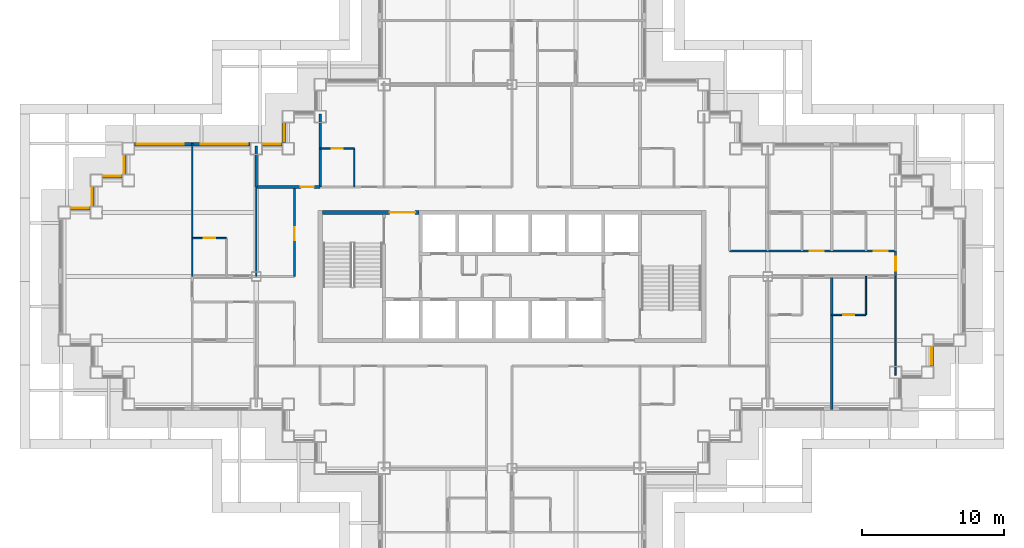
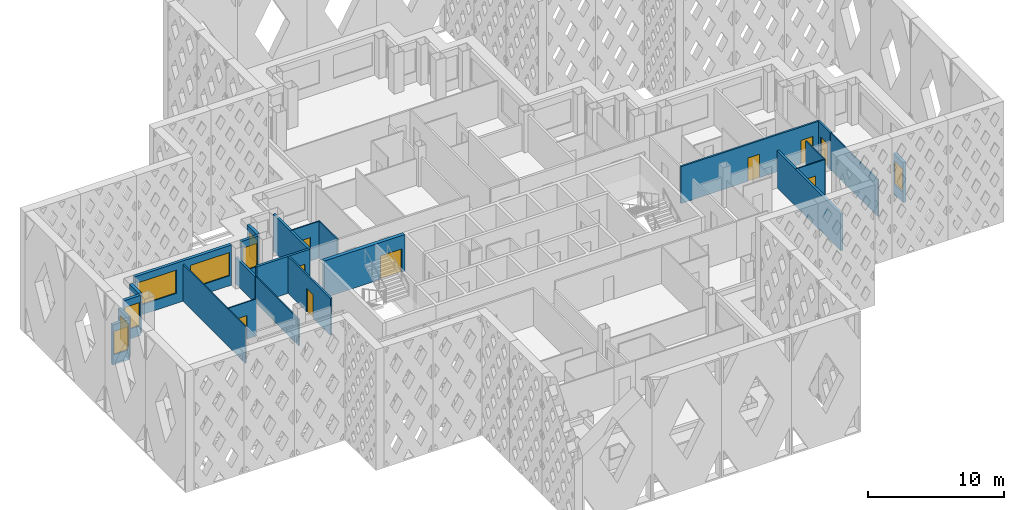
# One storey, part 8 of 21: 24 walls, 9 doors, 9 windows, 18 openings.
"""IFC4 building model written with IfcOpenShell, lengths in metres."""

from ifc_helpers import new_model, si_unit, direction, frame, frame_2d, origin, place, context, subcontext, project, spatial, rectangle, extrude, material, layer, layer_set, type_object, element, fill, save


model = new_model("IFC4")

# Units and contexts
model_context = context("Model", 3, precision=1e-05, world=origin(), true_north=direction((0.0, 1.0)))
body_context = subcontext(model_context, "Body", "Model", "MODEL_VIEW")
ifc_project = project(units=[si_unit("LENGTHUNIT", "METRE"), si_unit("AREAUNIT", "SQUARE_METRE"), si_unit("VOLUMEUNIT", "CUBIC_METRE"), si_unit("PLANEANGLEUNIT", "RADIAN"), si_unit("MASSUNIT", "GRAM", prefix="KILO")], contexts=[model_context])

# Site, building, storey
site_placement = place(None, origin())
site = spatial("IfcSite", under=ifc_project, at=site_placement, CompositionType="ELEMENT")
building_placement = place(site_placement, origin())
building = spatial("IfcBuilding", under=site, at=building_placement, Name="Caravel Reach Hotel and Residences", CompositionType="ELEMENT")
storey_placement = place(building_placement, frame((0.0, 0.0, 129.60009765625)))
storey = spatial("IfcBuildingStorey", under=building, at=storey_placement, Name="L32", CompositionType="ELEMENT", Elevation=129.60009765625)

# Wall, opening, door
ifc_material_1 = material(Name="Gypsum board on steel stud", Category="steel")
ifc_layer_1 = layer(ifc_material_1, 0.10009765625)
ifc_layer_set_1 = layer_set([ifc_layer_1], Name="Bathroom pod wall 100 mm")
wall_type_1 = type_object("IfcWallType", Name="Bathroom pod wall 100 mm", PredefinedType="PARTITIONING", material=ifc_layer_set_1)
wall_1_placement = place(storey_placement, frame((54.0, 24.300048828125, 0.0), z_axis=(0.0, 0.0, 1.0), x_axis=(1.0, 0.0, 0.0)))
wall_1 = element("IfcWall", 1, at=wall_1_placement, inside=storey, type_object=wall_type_1, Name="L32 wall w073", PredefinedType="PARTITIONING", context=body_context, shape_type="SweptSolid", body=[
    extrude(rectangle(XDim=2.39990234375, YDim=0.10009765625, at=frame_2d((1.199951171875, 0.0))), origin(), (0.0, 0.0, 1.0), 3.2998046875),
])
opening_1_placement = place(wall_1_placement, frame((0.800048828125, 0.0, 0.0)))
opening_1 = element("IfcOpeningElement", 2, at=opening_1_placement, cuts=wall_1, Name="Opening D32-023", PredefinedType="OPENING", context=body_context, shape_type="SweptSolid", body=[
    extrude(rectangle(XDim=0.800048828125, YDim=2.10009765625, at=frame_2d((0.39990234375, 1.050048828125))), frame((0.0, 0.06005859375, 0.0), z_axis=(0.0, -1.0, 0.0), x_axis=(1.0, 0.0, 0.0)), (0.0, 0.0, 1.0), 0.1201171875),
])
ifc_material_2 = material(Name="Timber and steel door leaf", Category="steel")
door_type_1 = type_object("IfcDoorType", Name="Bathroom door 800 x 2100", OperationType="SINGLE_SWING_LEFT", PredefinedType="DOOR", material=ifc_material_2)
door_1_placement = place(opening_1_placement, origin())
door_1 = element("IfcDoor", 3, at=door_1_placement, inside=storey, type_object=door_type_1, Name="door D32-023", OperationType="SINGLE_SWING_RIGHT", OverallHeight=2.10009765625, OverallWidth=0.800048828125, PredefinedType="DOOR", context=body_context, shape_type="SweptSolid", body=[
    extrude(rectangle(XDim=0.800048828125, YDim=2.10009765625, at=frame_2d((0.39990234375, 1.050048828125))), frame((0.0, 0.02490234375, 0.0), z_axis=(0.0, -1.0, 0.0), x_axis=(1.0, 0.0, 0.0)), (0.0, 0.0, 1.0), 0.050048828125),
])
fill(opening_1, door_1)

wall_2_placement = place(storey_placement, frame((9.0, 29.699951171875, 0.0), z_axis=(0.0, 0.0, 1.0), x_axis=(1.0, 0.0, 0.0)))
wall_2 = element("IfcWall", 4, at=wall_2_placement, inside=storey, type_object=wall_type_1, Name="L32 wall w074", PredefinedType="PARTITIONING", context=body_context, shape_type="SweptSolid", body=[
    extrude(rectangle(XDim=2.39990234375, YDim=0.10009765625, at=frame_2d((1.199951171875, 0.0))), origin(), (0.0, 0.0, 1.0), 3.2998046875),
])
opening_2_placement = place(wall_2_placement, frame((0.800048828125, 0.0, 0.0)))
opening_2 = element("IfcOpeningElement", 5, at=opening_2_placement, cuts=wall_2, Name="Opening D32-019", PredefinedType="OPENING", context=body_context, shape_type="SweptSolid", body=[
    extrude(rectangle(XDim=0.800048828125, YDim=2.10009765625, at=frame_2d((0.39990234375, 1.050048828125))), frame((0.0, 0.06005859375, 0.0), z_axis=(0.0, -1.0, 0.0), x_axis=(1.0, 0.0, 0.0)), (0.0, 0.0, 1.0), 0.1201171875),
])
door_2_placement = place(opening_2_placement, origin())
door_2 = element("IfcDoor", 6, at=door_2_placement, inside=storey, type_object=door_type_1, Name="door D32-019", OperationType="SINGLE_SWING_LEFT", OverallHeight=2.10009765625, OverallWidth=0.800048828125, PredefinedType="DOOR", context=body_context, shape_type="SweptSolid", body=[
    extrude(rectangle(XDim=0.800048828125, YDim=2.10009765625, at=frame_2d((0.39990234375, 1.050048828125))), frame((0.0, 0.02490234375, 0.0), z_axis=(0.0, -1.0, 0.0), x_axis=(1.0, 0.0, 0.0)), (0.0, 0.0, 1.0), 0.050048828125),
])
fill(opening_2, door_2)

wall_3_placement = place(storey_placement, frame((18.0, 36.0, 0.0), z_axis=(0.0, 0.0, 1.0), x_axis=(1.0, 0.0, 0.0)))
wall_3 = element("IfcWall", 7, at=wall_3_placement, inside=storey, type_object=wall_type_1, Name="L32 wall w077", PredefinedType="PARTITIONING", context=body_context, shape_type="SweptSolid", body=[
    extrude(rectangle(XDim=2.39990234375, YDim=0.10009765625, at=frame_2d((1.199951171875, 0.0))), origin(), (0.0, 0.0, 1.0), 3.2998046875),
])
opening_3_placement = place(wall_3_placement, frame((0.800048828125, 0.0, 0.0)))
opening_3 = element("IfcOpeningElement", 8, at=opening_3_placement, cuts=wall_3, Name="Opening D32-041", PredefinedType="OPENING", context=body_context, shape_type="SweptSolid", body=[
    extrude(rectangle(XDim=0.800048828125, YDim=2.10009765625, at=frame_2d((0.39990234375, 1.050048828125))), frame((0.0, 0.06005859375, 0.0), z_axis=(0.0, -1.0, 0.0), x_axis=(1.0, 0.0, 0.0)), (0.0, 0.0, 1.0), 0.1201171875),
])
door_3_placement = place(opening_3_placement, origin())
door_3 = element("IfcDoor", 9, at=door_3_placement, inside=storey, type_object=door_type_1, Name="door D32-041", OperationType="SINGLE_SWING_LEFT", OverallHeight=2.10009765625, OverallWidth=0.800048828125, PredefinedType="DOOR", context=body_context, shape_type="SweptSolid", body=[
    extrude(rectangle(XDim=0.800048828125, YDim=2.10009765625, at=frame_2d((0.39990234375, 1.050048828125))), frame((0.0, 0.02490234375, 0.0), z_axis=(0.0, -1.0, 0.0), x_axis=(1.0, 0.0, 0.0)), (0.0, 0.0, 1.0), 0.050048828125),
])
fill(opening_3, door_3)

# Walls
for number, where, z_axis, x_axis, name in (
    (10, (20.39990234375, 33.300048828125, 0.0), (0.0, 0.0, 1.0), (0.0, 1.0, 0.0), "L32 wall w084"),
    (11, (56.39990234375, 24.300048828125, 0.0), (0.0, 0.0, 1.0), (0.0, 1.0, 0.0), "L32 wall w095"),
):
    element("IfcWall", number, at=place(storey_placement, frame(where, z_axis=z_axis, x_axis=x_axis)), inside=storey, type_object=wall_type_1, Name=name, PredefinedType="PARTITIONING", context=body_context, shape_type="SweptSolid", body=[
        extrude(rectangle(XDim=2.699951171875, YDim=0.10009765625, at=frame_2d((1.35009765625, 0.0))), origin(), (0.0, 0.0, 1.0), 3.2998046875),
    ])

# Wall, opening, door
ifc_material_3 = material(Name="Autoclaved aerated block wall")
ifc_layer_2 = layer(ifc_material_3, 0.199951171875)
ifc_layer_set_2 = layer_set([ifc_layer_2], Name="Compartment wall 200 mm EI 120")
wall_type_2 = type_object("IfcWallType", Name="Compartment wall 200 mm EI 120", PredefinedType="PARTITIONING", material=ifc_layer_set_2)
wall_4_placement = place(storey_placement, frame((13.5, 33.300048828125, 0.0), z_axis=(0.0, 0.0, 1.0), x_axis=(1.0, 0.0, 0.0)))
wall_4 = element("IfcWall", 12, at=wall_4_placement, inside=storey, type_object=wall_type_2, Name="L32 wall w098", PredefinedType="PARTITIONING", context=body_context, shape_type="SweptSolid", body=[
    extrude(rectangle(XDim=4.5, YDim=0.199951171875, at=frame_2d((2.25, 0.0))), origin(), (0.0, 0.0, 1.0), 3.2998046875),
])
opening_4_placement = place(wall_4_placement, frame((3.14990234375, 0.0, 0.0)))
opening_4 = element("IfcOpeningElement", 13, at=opening_4_placement, cuts=wall_4, Name="Opening D32-042", PredefinedType="OPENING", context=body_context, shape_type="SweptSolid", body=[
    extrude(rectangle(XDim=0.89990234375, YDim=2.10009765625, at=frame_2d((0.449951171875, 1.050048828125))), frame((0.0, 0.10986328125, 0.0), z_axis=(0.0, -1.0, 0.0), x_axis=(1.0, 0.0, 0.0)), (0.0, 0.0, 1.0), 0.219970703125),
])
ifc_material_4 = material(Name="Steel fire door leaf", Category="steel")
door_type_2 = type_object("IfcDoorType", Name="Riser door 900 x 2100 EI 60", OperationType="SINGLE_SWING_LEFT", PredefinedType="DOOR", material=ifc_material_4)
door_4_placement = place(opening_4_placement, origin())
door_4 = element("IfcDoor", 14, at=door_4_placement, inside=storey, type_object=door_type_2, Name="door D32-042", OperationType="SINGLE_SWING_LEFT", OverallHeight=2.10009765625, OverallWidth=0.89990234375, PredefinedType="DOOR", context=body_context, shape_type="SweptSolid", body=[
    extrude(rectangle(XDim=0.89990234375, YDim=2.10009765625, at=frame_2d((0.449951171875, 1.050048828125))), frame((0.0, 0.02490234375, 0.0), z_axis=(0.0, -1.0, 0.0), x_axis=(1.0, 0.0, 0.0)), (0.0, 0.0, 1.0), 0.050048828125),
])
fill(opening_4, door_4)

# Walls
wall_5_placement = place(storey_placement, frame((13.5, 33.300048828125, 0.0), z_axis=(0.0, 0.0, 1.0), x_axis=(0.0, 1.0, 0.0)))
element("IfcWall", 15, at=wall_5_placement, inside=storey, type_object=wall_type_2, Name="L32 wall w100", PredefinedType="PARTITIONING", context=body_context, shape_type="SweptSolid", body=[
    extrude(rectangle(XDim=2.889892578125, YDim=0.199951171875, at=frame_2d((1.44482421875, 0.0))), origin(), (0.0, 0.0, 1.0), 2.3798828125),
])
wall_6_placement = place(storey_placement, frame((18.0, 33.300048828125, 0.0), z_axis=(0.0, 0.0, 1.0), x_axis=(0.0, 1.0, 0.0)))
element("IfcWall", 16, at=wall_6_placement, inside=storey, type_object=wall_type_2, Name="L32 wall w101", PredefinedType="PARTITIONING", context=body_context, shape_type="SweptSolid", body=[
    extrude(rectangle(XDim=5.139892578125, YDim=0.199951171875, at=frame_2d((2.56982421875, 0.0))), origin(), (0.0, 0.0, 1.0), 3.2998046875),
])

# Wall, opening, door
ifc_material_5 = material(Name="Concrete C60", Category="concrete")
ifc_layer_3 = layer(ifc_material_5, 0.300048828125)
ifc_layer_set_3 = layer_set([ifc_layer_3], Name="Core wall 300 mm EI 120")
wall_type_3 = type_object("IfcWallType", Name="Core wall 300 mm EI 120", PredefinedType="SHEAR", material=ifc_layer_set_3)
wall_7_placement = place(storey_placement, frame((18.14990234375, 31.5, 0.0), z_axis=(0.0, 0.0, 1.0), x_axis=(1.0, 0.0, 0.0)))
wall_7 = element("IfcWall", 17, at=wall_7_placement, inside=storey, type_object=wall_type_3, Name="L32 core wall N1", PredefinedType="SHEAR", context=body_context, shape_type="SweptSolid", body=[
    extrude(rectangle(XDim=6.796630859375, YDim=0.300048828125, at=frame_2d((3.3984375, 0.0))), origin(), (0.0, 0.0, 1.0), 3.2998046875),
])
opening_5_placement = place(wall_7_placement, frame((4.735595703125, 0.0, 0.0)))
opening_5 = element("IfcOpeningElement", 18, at=opening_5_placement, cuts=wall_7, Name="Opening D32-014", PredefinedType="OPENING", context=body_context, shape_type="SweptSolid", body=[
    extrude(rectangle(XDim=1.800048828125, YDim=2.10009765625, at=frame_2d((0.89990234375, 1.050048828125))), frame((0.0, 0.159912109375, 0.0), z_axis=(0.0, -1.0, 0.0), x_axis=(1.0, 0.0, 0.0)), (0.0, 0.0, 1.0), 0.320068359375),
])
ifc_material_6 = material(Name="Steel fire door leaf", Category="steel")
door_type_3 = type_object("IfcDoorType", Name="Fire lobby door pair 1800 x 2100 EI 90", OperationType="DOUBLE_DOOR_SINGLE_SWING", PredefinedType="DOOR", material=ifc_material_6)
door_5_placement = place(opening_5_placement, origin())
door_5 = element("IfcDoor", 19, at=door_5_placement, inside=storey, type_object=door_type_3, Name="lobby N door pair to corridor", OperationType="DOUBLE_DOOR_SINGLE_SWING", OverallHeight=2.10009765625, OverallWidth=1.800048828125, PredefinedType="DOOR", context=body_context, shape_type="SweptSolid", body=[
    extrude(rectangle(XDim=1.800048828125, YDim=2.10009765625, at=frame_2d((0.89990234375, 1.050048828125))), frame((0.0, 0.02490234375, 0.0), z_axis=(0.0, -1.0, 0.0), x_axis=(1.0, 0.0, 0.0)), (0.0, 0.0, 1.0), 0.050048828125),
])
fill(opening_5, door_5)

# Wall, openings, doors
ifc_material_7 = material(Name="Gypsum board on steel stud, fire-rated", Category="steel")
ifc_layer_4 = layer(ifc_material_7, 0.14990234375)
ifc_layer_set_4 = layer_set([ifc_layer_4], Name="Corridor wall 150 mm EI 60")
wall_type_4 = type_object("IfcWallType", Name="Corridor wall 150 mm EI 60", PredefinedType="PARTITIONING", material=ifc_layer_set_4)
wall_8_placement = place(storey_placement, frame((46.800048828125, 28.800048828125, 0.0), z_axis=(0.0, 0.0, 1.0), x_axis=(1.0, 0.0, 0.0)))
wall_8 = element("IfcWall", 20, at=wall_8_placement, inside=storey, type_object=wall_type_4, Name="L32 wall w014", PredefinedType="PARTITIONING", context=body_context, shape_type="SweptSolid", body=[
    extrude(rectangle(XDim=11.699951171875, YDim=0.14990234375, at=frame_2d((5.85009765625, 0.0))), origin(), (0.0, 0.0, 1.0), 3.2998046875),
])
opening_6_placement = place(wall_8_placement, frame((5.64990234375, 0.0, 0.0)))
opening_6 = element("IfcOpeningElement", 21, at=opening_6_placement, cuts=wall_8, Name="Opening D32-024", PredefinedType="OPENING", context=body_context, shape_type="SweptSolid", body=[
    extrude(rectangle(XDim=1.0, YDim=2.10009765625, at=frame_2d((0.5, 1.050048828125))), frame((0.0, 0.0849609375, 0.0), z_axis=(0.0, -1.0, 0.0), x_axis=(1.0, 0.0, 0.0)), (0.0, 0.0, 1.0), 0.169921875),
])
opening_7_placement = place(wall_8_placement, frame((10.14990234375, 0.0, 0.0)))
opening_7 = element("IfcOpeningElement", 22, at=opening_7_placement, cuts=wall_8, Name="Opening D32-026", PredefinedType="OPENING", context=body_context, shape_type="SweptSolid", body=[
    extrude(rectangle(XDim=1.0, YDim=2.10009765625, at=frame_2d((0.5, 1.050048828125))), frame((0.0, 0.0849609375, 0.0), z_axis=(0.0, -1.0, 0.0), x_axis=(1.0, 0.0, 0.0)), (0.0, 0.0, 1.0), 0.169921875),
])
ifc_material_8 = material(Name="Steel fire door leaf", Category="steel")
door_type_4 = type_object("IfcDoorType", Name="Guest room door 1000 x 2100 EI 30", OperationType="SINGLE_SWING_LEFT", PredefinedType="DOOR", material=ifc_material_8)
door_6_placement = place(opening_6_placement, origin())
door_6 = element("IfcDoor", 23, at=door_6_placement, inside=storey, type_object=door_type_4, Name="door D32-024", OperationType="SINGLE_SWING_RIGHT", OverallHeight=2.10009765625, OverallWidth=1.0, PredefinedType="DOOR", context=body_context, shape_type="SweptSolid", body=[
    extrude(rectangle(XDim=1.0, YDim=2.10009765625, at=frame_2d((0.5, 1.050048828125))), frame((0.0, 0.02490234375, 0.0), z_axis=(0.0, -1.0, 0.0), x_axis=(1.0, 0.0, 0.0)), (0.0, 0.0, 1.0), 0.050048828125),
])
fill(opening_6, door_6)
door_7_placement = place(opening_7_placement, origin())
door_7 = element("IfcDoor", 24, at=door_7_placement, inside=storey, type_object=door_type_4, Name="door D32-026", OperationType="SINGLE_SWING_RIGHT", OverallHeight=2.10009765625, OverallWidth=1.0, PredefinedType="DOOR", context=body_context, shape_type="SweptSolid", body=[
    extrude(rectangle(XDim=1.0, YDim=2.10009765625, at=frame_2d((0.5, 1.050048828125))), frame((0.0, 0.02490234375, 0.0), z_axis=(0.0, -1.0, 0.0), x_axis=(1.0, 0.0, 0.0)), (0.0, 0.0, 1.0), 0.050048828125),
])
fill(opening_7, door_7)

# Wall, opening, door
wall_9_placement = place(storey_placement, frame((16.199951171875, 27.0, 0.0), z_axis=(0.0, 0.0, 1.0), x_axis=(0.0, 1.0, 0.0)))
wall_9 = element("IfcWall", 25, at=wall_9_placement, inside=storey, type_object=wall_type_4, Name="L32 wall w023", PredefinedType="PARTITIONING", context=body_context, shape_type="SweptSolid", body=[
    extrude(rectangle(XDim=6.300048828125, YDim=0.14990234375, at=frame_2d((3.14990234375, 0.0))), origin(), (0.0, 0.0, 1.0), 3.2998046875),
])
opening_8_placement = place(wall_9_placement, frame((2.550048828125, 0.0, 0.0)))
opening_8 = element("IfcOpeningElement", 26, at=opening_8_placement, cuts=wall_9, Name="Opening D32-057", PredefinedType="OPENING", context=body_context, shape_type="SweptSolid", body=[
    extrude(rectangle(XDim=0.89990234375, YDim=2.10009765625, at=frame_2d((0.449951171875, 1.050048828125))), frame((0.0, 0.0849609375, 0.0), z_axis=(0.0, -1.0, 0.0), x_axis=(1.0, 0.0, 0.0)), (0.0, 0.0, 1.0), 0.169921875),
])
ifc_material_9 = material(Name="Timber and steel door leaf", Category="steel")
door_type_5 = type_object("IfcDoorType", Name="Door 900 x 2100 timber", OperationType="SINGLE_SWING_LEFT", PredefinedType="DOOR", material=ifc_material_9)
door_8_placement = place(opening_8_placement, origin())
door_8 = element("IfcDoor", 27, at=door_8_placement, inside=storey, type_object=door_type_5, Name="door D32-057", OperationType="SINGLE_SWING_LEFT", OverallHeight=2.10009765625, OverallWidth=0.89990234375, PredefinedType="DOOR", context=body_context, shape_type="SweptSolid", body=[
    extrude(rectangle(XDim=0.89990234375, YDim=2.10009765625, at=frame_2d((0.449951171875, 1.050048828125))), frame((0.0, 0.02490234375, 0.0), z_axis=(0.0, -1.0, 0.0), x_axis=(1.0, 0.0, 0.0)), (0.0, 0.0, 1.0), 0.050048828125),
])
fill(opening_8, door_8)

wall_10_placement = place(storey_placement, frame((58.5, 27.0, 0.0), z_axis=(0.0, 0.0, 1.0), x_axis=(0.0, 1.0, 0.0)))
wall_10 = element("IfcWall", 28, at=wall_10_placement, inside=storey, type_object=wall_type_4, Name="L32 wall w035", PredefinedType="PARTITIONING", context=body_context, shape_type="SweptSolid", body=[
    extrude(rectangle(XDim=1.800048828125, YDim=0.14990234375, at=frame_2d((0.89990234375, 0.0))), origin(), (0.0, 0.0, 1.0), 3.2998046875),
])
opening_9_placement = place(wall_10_placement, frame((0.39990234375, 0.0, 0.0)))
opening_9 = element("IfcOpeningElement", 29, at=opening_9_placement, cuts=wall_10, Name="Opening D32-037", PredefinedType="OPENING", context=body_context, shape_type="SweptSolid", body=[
    extrude(rectangle(XDim=1.0, YDim=2.10009765625, at=frame_2d((0.5, 1.050048828125))), frame((0.0, 0.0849609375, 0.0), z_axis=(0.0, -1.0, 0.0), x_axis=(1.0, 0.0, 0.0)), (0.0, 0.0, 1.0), 0.169921875),
])
door_9_placement = place(opening_9_placement, origin())
door_9 = element("IfcDoor", 30, at=door_9_placement, inside=storey, type_object=door_type_4, Name="door D32-037", OperationType="SINGLE_SWING_LEFT", OverallHeight=2.10009765625, OverallWidth=1.0, PredefinedType="DOOR", context=body_context, shape_type="SweptSolid", body=[
    extrude(rectangle(XDim=1.0, YDim=2.10009765625, at=frame_2d((0.5, 1.050048828125))), frame((0.0, 0.02490234375, 0.0), z_axis=(0.0, -1.0, 0.0), x_axis=(1.0, 0.0, 0.0)), (0.0, 0.0, 1.0), 0.050048828125),
])
fill(opening_9, door_9)

# Wall, opening, window
ifc_material_10 = material(Name="Insulated rainscreen wall, aluminium cladding", Category="aluminium")
ifc_layer_5 = layer(ifc_material_10, 0.25)
ifc_layer_set_5 = layer_set([ifc_layer_5], Name="EW1 Tower rainscreen wall")
wall_type_5 = type_object("IfcWallType", Name="EW1 Tower rainscreen wall", PredefinedType="SOLIDWALL", material=ifc_layer_set_5)
wall_11_placement = place(storey_placement, frame((61.050048828125, 20.675048828125, 0.0), z_axis=(0.0, 0.0, 1.0), x_axis=(0.0, 1.0, 0.0)))
wall_11 = element("IfcWall", 31, at=wall_11_placement, inside=storey, type_object=wall_type_5, Name="External wall L32 E18.1", PredefinedType="SOLIDWALL", context=body_context, shape_type="SweptSolid", body=[
    extrude(rectangle(XDim=1.39990234375, YDim=0.25, at=frame_2d((0.699951171875, 0.0))), origin(), (0.0, 0.0, 1.0), 3.599853515625),
])
opening_10_placement = place(wall_11_placement, frame((0.10009765625, 0.0, 0.89990234375)))
opening_10 = element("IfcOpeningElement", 32, at=opening_10_placement, cuts=wall_11, Name="Opening WN9", PredefinedType="OPENING", context=body_context, shape_type="SweptSolid", body=[
    extrude(rectangle(XDim=1.199951171875, YDim=2.080078125, at=frame_2d((0.60009765625, 1.0400390625))), frame((0.0, 0.135009765625, 0.0), z_axis=(0.0, -1.0, 0.0), x_axis=(1.0, 0.0, 0.0)), (0.0, 0.0, 1.0), 0.27001953125),
])
ifc_material_11 = material(Name="Dark low-e glazing in black aluminium frame", Category="aluminium")
window_type_1 = type_object("IfcWindowType", Name="Hotel suite corner window 1200 x 2080", PartitioningType="SINGLE_PANEL", PredefinedType="WINDOW", material=ifc_material_11)
window_1_placement = place(opening_10_placement, origin())
window_1 = element("IfcWindow", 33, at=window_1_placement, inside=storey, type_object=window_type_1, Name="Window L32 E18.1.1", OverallHeight=2.080078125, OverallWidth=1.199951171875, PartitioningType="SINGLE_PANEL", PredefinedType="WINDOW", context=body_context, shape_type="SweptSolid", body=[
    extrude(rectangle(XDim=1.199951171875, YDim=2.080078125, at=frame_2d((0.60009765625, 1.0400390625))), frame((0.0, 0.030029296875, 0.0), z_axis=(0.0, -1.0, 0.0), x_axis=(1.0, 0.0, 0.0)), (0.0, 0.0, 1.0), 0.06005859375),
])
fill(opening_10, window_1)

wall_12_placement = place(storey_placement, frame((15.449951171875, 37.824951171875, 0.0), z_axis=(0.0, 0.0, 1.0), x_axis=(0.0, -1.0, 0.0)))
wall_12 = element("IfcWall", 34, at=wall_12_placement, inside=storey, type_object=wall_type_5, Name="External wall L32 W44.1", PredefinedType="SOLIDWALL", context=body_context, shape_type="SweptSolid", body=[
    extrude(rectangle(XDim=1.39990234375, YDim=0.25, at=frame_2d((0.699951171875, 0.0))), origin(), (0.0, 0.0, 1.0), 3.599853515625),
])
opening_11_placement = place(wall_12_placement, frame((0.10009765625, 0.0, 0.89990234375)))
opening_11 = element("IfcOpeningElement", 35, at=opening_11_placement, cuts=wall_12, Name="Opening WN9", PredefinedType="OPENING", context=body_context, shape_type="SweptSolid", body=[
    extrude(rectangle(XDim=1.199951171875, YDim=2.080078125, at=frame_2d((0.60009765625, 1.0400390625))), frame((0.0, 0.135009765625, 0.0), z_axis=(0.0, -1.0, 0.0), x_axis=(1.0, 0.0, 0.0)), (0.0, 0.0, 1.0), 0.27001953125),
])
window_2_placement = place(opening_11_placement, origin())
window_2 = element("IfcWindow", 36, at=window_2_placement, inside=storey, type_object=window_type_1, Name="Window L32 W44.1.1", OverallHeight=2.080078125, OverallWidth=1.199951171875, PartitioningType="SINGLE_PANEL", PredefinedType="WINDOW", context=body_context, shape_type="SweptSolid", body=[
    extrude(rectangle(XDim=1.199951171875, YDim=2.080078125, at=frame_2d((0.60009765625, 1.0400390625))), frame((0.0, 0.030029296875, 0.0), z_axis=(0.0, -1.0, 0.0), x_axis=(1.0, 0.0, 0.0)), (0.0, 0.0, 1.0), 0.06005859375),
])
fill(opening_11, window_2)

wall_13_placement = place(storey_placement, frame((15.324951171875, 36.300048828125, 0.0), z_axis=(0.0, 0.0, 1.0), x_axis=(-1.0, 0.0, 0.0)))
wall_13 = element("IfcWall", 37, at=wall_13_placement, inside=storey, type_object=wall_type_5, Name="External wall L32 N45.1", PredefinedType="SOLIDWALL", context=body_context, shape_type="SweptSolid", body=[
    extrude(rectangle(XDim=1.39990234375, YDim=0.25, at=frame_2d((0.699951171875, 0.0))), origin(), (0.0, 0.0, 1.0), 3.599853515625),
])
opening_12_placement = place(wall_13_placement, frame((0.10009765625, 0.0, 0.89990234375)))
opening_12 = element("IfcOpeningElement", 38, at=opening_12_placement, cuts=wall_13, Name="Opening WN9", PredefinedType="OPENING", context=body_context, shape_type="SweptSolid", body=[
    extrude(rectangle(XDim=1.199951171875, YDim=2.080078125, at=frame_2d((0.60009765625, 1.0400390625))), frame((0.0, 0.135009765625, 0.0), z_axis=(0.0, -1.0, 0.0), x_axis=(1.0, 0.0, 0.0)), (0.0, 0.0, 1.0), 0.27001953125),
])
window_3_placement = place(opening_12_placement, origin())
window_3 = element("IfcWindow", 39, at=window_3_placement, inside=storey, type_object=window_type_1, Name="Window L32 N45.1.1", OverallHeight=2.080078125, OverallWidth=1.199951171875, PartitioningType="SINGLE_PANEL", PredefinedType="WINDOW", context=body_context, shape_type="SweptSolid", body=[
    extrude(rectangle(XDim=1.199951171875, YDim=2.080078125, at=frame_2d((0.60009765625, 1.0400390625))), frame((0.0, 0.030029296875, 0.0), z_axis=(0.0, -1.0, 0.0), x_axis=(1.0, 0.0, 0.0)), (0.0, 0.0, 1.0), 0.06005859375),
])
fill(opening_12, window_3)

# Wall, openings, windows
wall_14_placement = place(storey_placement, frame((13.074951171875, 36.300048828125, 0.0), z_axis=(0.0, 0.0, 1.0), x_axis=(-1.0, 0.0, 0.0)))
wall_14 = element("IfcWall", 40, at=wall_14_placement, inside=storey, type_object=wall_type_5, Name="External wall L32 N45.2", PredefinedType="SOLIDWALL", context=body_context, shape_type="SweptSolid", body=[
    extrude(rectangle(XDim=8.14990234375, YDim=0.25, at=frame_2d((4.074951171875, 0.0))), origin(), (0.0, 0.0, 1.0), 3.599853515625),
])
opening_13_placement = place(wall_14_placement, frame((0.175048828125, 0.0, 0.89990234375)))
opening_13 = element("IfcOpeningElement", 41, at=opening_13_placement, cuts=wall_14, Name="Opening WN4", PredefinedType="OPENING", context=body_context, shape_type="SweptSolid", body=[
    extrude(rectangle(XDim=3.300048828125, YDim=2.080078125, at=frame_2d((1.64990234375, 1.0400390625))), frame((0.0, 0.135009765625, 0.0), z_axis=(0.0, -1.0, 0.0), x_axis=(1.0, 0.0, 0.0)), (0.0, 0.0, 1.0), 0.27001953125),
])
opening_14_placement = place(wall_14_placement, frame((4.675048828125, 0.0, 0.89990234375)))
opening_14 = element("IfcOpeningElement", 42, at=opening_14_placement, cuts=wall_14, Name="Opening WN4", PredefinedType="OPENING", context=body_context, shape_type="SweptSolid", body=[
    extrude(rectangle(XDim=3.300048828125, YDim=2.080078125, at=frame_2d((1.64990234375, 1.0400390625))), frame((0.0, 0.135009765625, 0.0), z_axis=(0.0, -1.0, 0.0), x_axis=(1.0, 0.0, 0.0)), (0.0, 0.0, 1.0), 0.27001953125),
])
ifc_material_12 = material(Name="Dark low-e glazing in black aluminium frame", Category="aluminium")
window_type_2 = type_object("IfcWindowType", Name="Hotel guest room window 3300 x 2080", PartitioningType="SINGLE_PANEL", PredefinedType="WINDOW", material=ifc_material_12)
window_4_placement = place(opening_13_placement, origin())
window_4 = element("IfcWindow", 43, at=window_4_placement, inside=storey, type_object=window_type_2, Name="Window L32 N45.2.1", OverallHeight=2.080078125, OverallWidth=3.300048828125, PartitioningType="SINGLE_PANEL", PredefinedType="WINDOW", context=body_context, shape_type="SweptSolid", body=[
    extrude(rectangle(XDim=3.300048828125, YDim=2.080078125, at=frame_2d((1.64990234375, 1.0400390625))), frame((0.0, 0.030029296875, 0.0), z_axis=(0.0, -1.0, 0.0), x_axis=(1.0, 0.0, 0.0)), (0.0, 0.0, 1.0), 0.06005859375),
])
fill(opening_13, window_4)
window_5_placement = place(opening_14_placement, origin())
window_5 = element("IfcWindow", 44, at=window_5_placement, inside=storey, type_object=window_type_2, Name="Window L32 N45.2.2", OverallHeight=2.080078125, OverallWidth=3.300048828125, PartitioningType="SINGLE_PANEL", PredefinedType="WINDOW", context=body_context, shape_type="SweptSolid", body=[
    extrude(rectangle(XDim=3.300048828125, YDim=2.080078125, at=frame_2d((1.64990234375, 1.0400390625))), frame((0.0, 0.030029296875, 0.0), z_axis=(0.0, -1.0, 0.0), x_axis=(1.0, 0.0, 0.0)), (0.0, 0.0, 1.0), 0.06005859375),
])
fill(opening_14, window_5)

# Wall, opening, window
wall_15_placement = place(storey_placement, frame((4.199951171875, 35.574951171875, 0.0), z_axis=(0.0, 0.0, 1.0), x_axis=(0.0, -1.0, 0.0)))
wall_15 = element("IfcWall", 45, at=wall_15_placement, inside=storey, type_object=wall_type_5, Name="External wall L32 W46.1", PredefinedType="SOLIDWALL", context=body_context, shape_type="SweptSolid", body=[
    extrude(rectangle(XDim=1.39990234375, YDim=0.25, at=frame_2d((0.699951171875, 0.0))), origin(), (0.0, 0.0, 1.0), 3.599853515625),
])
opening_15_placement = place(wall_15_placement, frame((0.10009765625, 0.0, 0.89990234375)))
opening_15 = element("IfcOpeningElement", 46, at=opening_15_placement, cuts=wall_15, Name="Opening WN9", PredefinedType="OPENING", context=body_context, shape_type="SweptSolid", body=[
    extrude(rectangle(XDim=1.199951171875, YDim=2.080078125, at=frame_2d((0.60009765625, 1.0400390625))), frame((0.0, 0.135009765625, 0.0), z_axis=(0.0, -1.0, 0.0), x_axis=(1.0, 0.0, 0.0)), (0.0, 0.0, 1.0), 0.27001953125),
])
window_6_placement = place(opening_15_placement, origin())
window_6 = element("IfcWindow", 47, at=window_6_placement, inside=storey, type_object=window_type_1, Name="Window L32 W46.1.1", OverallHeight=2.080078125, OverallWidth=1.199951171875, PartitioningType="SINGLE_PANEL", PredefinedType="WINDOW", context=body_context, shape_type="SweptSolid", body=[
    extrude(rectangle(XDim=1.199951171875, YDim=2.080078125, at=frame_2d((0.60009765625, 1.0400390625))), frame((0.0, 0.030029296875, 0.0), z_axis=(0.0, -1.0, 0.0), x_axis=(1.0, 0.0, 0.0)), (0.0, 0.0, 1.0), 0.06005859375),
])
fill(opening_15, window_6)

wall_16_placement = place(storey_placement, frame((4.074951171875, 34.050048828125, 0.0), z_axis=(0.0, 0.0, 1.0), x_axis=(-1.0, 0.0, 0.0)))
wall_16 = element("IfcWall", 48, at=wall_16_placement, inside=storey, type_object=wall_type_5, Name="External wall L32 N47.1", PredefinedType="SOLIDWALL", context=body_context, shape_type="SweptSolid", body=[
    extrude(rectangle(XDim=1.39990234375, YDim=0.25, at=frame_2d((0.699951171875, 0.0))), origin(), (0.0, 0.0, 1.0), 3.599853515625),
])
opening_16_placement = place(wall_16_placement, frame((0.10009765625, 0.0, 0.89990234375)))
opening_16 = element("IfcOpeningElement", 49, at=opening_16_placement, cuts=wall_16, Name="Opening WN9", PredefinedType="OPENING", context=body_context, shape_type="SweptSolid", body=[
    extrude(rectangle(XDim=1.199951171875, YDim=2.080078125, at=frame_2d((0.60009765625, 1.0400390625))), frame((0.0, 0.135009765625, 0.0), z_axis=(0.0, -1.0, 0.0), x_axis=(1.0, 0.0, 0.0)), (0.0, 0.0, 1.0), 0.27001953125),
])
window_7_placement = place(opening_16_placement, origin())
window_7 = element("IfcWindow", 50, at=window_7_placement, inside=storey, type_object=window_type_1, Name="Window L32 N47.1.1", OverallHeight=2.080078125, OverallWidth=1.199951171875, PartitioningType="SINGLE_PANEL", PredefinedType="WINDOW", context=body_context, shape_type="SweptSolid", body=[
    extrude(rectangle(XDim=1.199951171875, YDim=2.080078125, at=frame_2d((0.60009765625, 1.0400390625))), frame((0.0, 0.030029296875, 0.0), z_axis=(0.0, -1.0, 0.0), x_axis=(1.0, 0.0, 0.0)), (0.0, 0.0, 1.0), 0.06005859375),
])
fill(opening_16, window_7)

wall_17_placement = place(storey_placement, frame((1.949951171875, 33.324951171875, 0.0), z_axis=(0.0, 0.0, 1.0), x_axis=(0.0, -1.0, 0.0)))
wall_17 = element("IfcWall", 51, at=wall_17_placement, inside=storey, type_object=wall_type_5, Name="External wall L32 W48.1", PredefinedType="SOLIDWALL", context=body_context, shape_type="SweptSolid", body=[
    extrude(rectangle(XDim=1.39990234375, YDim=0.25, at=frame_2d((0.699951171875, 0.0))), origin(), (0.0, 0.0, 1.0), 3.599853515625),
])
opening_17_placement = place(wall_17_placement, frame((0.10009765625, 0.0, 0.89990234375)))
opening_17 = element("IfcOpeningElement", 52, at=opening_17_placement, cuts=wall_17, Name="Opening WN9", PredefinedType="OPENING", context=body_context, shape_type="SweptSolid", body=[
    extrude(rectangle(XDim=1.199951171875, YDim=2.080078125, at=frame_2d((0.60009765625, 1.0400390625))), frame((0.0, 0.135009765625, 0.0), z_axis=(0.0, -1.0, 0.0), x_axis=(1.0, 0.0, 0.0)), (0.0, 0.0, 1.0), 0.27001953125),
])
window_8_placement = place(opening_17_placement, origin())
window_8 = element("IfcWindow", 53, at=window_8_placement, inside=storey, type_object=window_type_1, Name="Window L32 W48.1.1", OverallHeight=2.080078125, OverallWidth=1.199951171875, PartitioningType="SINGLE_PANEL", PredefinedType="WINDOW", context=body_context, shape_type="SweptSolid", body=[
    extrude(rectangle(XDim=1.199951171875, YDim=2.080078125, at=frame_2d((0.60009765625, 1.0400390625))), frame((0.0, 0.030029296875, 0.0), z_axis=(0.0, -1.0, 0.0), x_axis=(1.0, 0.0, 0.0)), (0.0, 0.0, 1.0), 0.06005859375),
])
fill(opening_17, window_8)

wall_18_placement = place(storey_placement, frame((1.824951171875, 31.800048828125, 0.0), z_axis=(0.0, 0.0, 1.0), x_axis=(-1.0, 0.0, 0.0)))
wall_18 = element("IfcWall", 54, at=wall_18_placement, inside=storey, type_object=wall_type_5, Name="External wall L32 N49.1", PredefinedType="SOLIDWALL", context=body_context, shape_type="SweptSolid", body=[
    extrude(rectangle(XDim=1.39990234375, YDim=0.25, at=frame_2d((0.699951171875, 0.0))), origin(), (0.0, 0.0, 1.0), 3.599853515625),
])
opening_18_placement = place(wall_18_placement, frame((0.10009765625, 0.0, 0.89990234375)))
opening_18 = element("IfcOpeningElement", 55, at=opening_18_placement, cuts=wall_18, Name="Opening WN9", PredefinedType="OPENING", context=body_context, shape_type="SweptSolid", body=[
    extrude(rectangle(XDim=1.199951171875, YDim=2.080078125, at=frame_2d((0.60009765625, 1.0400390625))), frame((0.0, 0.135009765625, 0.0), z_axis=(0.0, -1.0, 0.0), x_axis=(1.0, 0.0, 0.0)), (0.0, 0.0, 1.0), 0.27001953125),
])
window_9_placement = place(opening_18_placement, origin())
window_9 = element("IfcWindow", 56, at=window_9_placement, inside=storey, type_object=window_type_1, Name="Window L32 N49.1.1", OverallHeight=2.080078125, OverallWidth=1.199951171875, PartitioningType="SINGLE_PANEL", PredefinedType="WINDOW", context=body_context, shape_type="SweptSolid", body=[
    extrude(rectangle(XDim=1.199951171875, YDim=2.080078125, at=frame_2d((0.60009765625, 1.0400390625))), frame((0.0, 0.030029296875, 0.0), z_axis=(0.0, -1.0, 0.0), x_axis=(1.0, 0.0, 0.0)), (0.0, 0.0, 1.0), 0.06005859375),
])
fill(opening_18, window_9)

# Walls
ifc_material_13 = material(Name="Gypsum board on steel stud", Category="steel")
ifc_layer_6 = layer(ifc_material_13, 0.10009765625)
ifc_layer_set_6 = layer_set([ifc_layer_6], Name="Partition 100 mm")
wall_type_6 = type_object("IfcWallType", Name="Partition 100 mm", PredefinedType="PARTITIONING", material=ifc_layer_set_6)
wall_19_placement = place(storey_placement, frame((13.5, 27.0, 0.0), z_axis=(0.0, 0.0, 1.0), x_axis=(0.0, 1.0, 0.0)))
element("IfcWall", 57, at=wall_19_placement, inside=storey, type_object=wall_type_6, Name="L32 wall w049", PredefinedType="PARTITIONING", context=body_context, shape_type="SweptSolid", body=[
    extrude(rectangle(XDim=6.300048828125, YDim=0.10009765625, at=frame_2d((3.14990234375, 0.0))), origin(), (0.0, 0.0, 1.0), 2.3798828125),
])
wall_20_placement = place(storey_placement, frame((58.5, 20.06005859375, 0.0), z_axis=(0.0, 0.0, 1.0), x_axis=(0.0, 1.0, 0.0)))
element("IfcWall", 58, at=wall_20_placement, inside=storey, type_object=wall_type_6, Name="L32 wall w060", PredefinedType="PARTITIONING", context=body_context, shape_type="SweptSolid", body=[
    extrude(rectangle(XDim=6.93994140625, YDim=0.10009765625, at=frame_2d((3.469970703125, 0.0))), origin(), (0.0, 0.0, 1.0), 3.2998046875),
])
wall_21_placement = place(storey_placement, frame((9.0, 27.0, 0.0), z_axis=(0.0, 0.0, 1.0), x_axis=(0.0, 1.0, 0.0)))
element("IfcWall", 59, at=wall_21_placement, inside=storey, type_object=wall_type_6, Name="L32 wall w061", PredefinedType="PARTITIONING", context=body_context, shape_type="SweptSolid", body=[
    extrude(rectangle(XDim=9.364990234375, YDim=0.10009765625, at=frame_2d((4.6826171875, 0.0))), origin(), (0.0, 0.0, 1.0), 3.2998046875),
])
ifc_material_14 = material(Name="Autoclaved aerated block wall")
ifc_layer_7 = layer(ifc_material_14, 0.199951171875)
ifc_layer_set_7 = layer_set([ifc_layer_7], Name="Party wall 200 mm EI 60")
wall_type_7 = type_object("IfcWallType", Name="Party wall 200 mm EI 60", PredefinedType="PARTITIONING", material=ifc_layer_set_7)
wall_22_placement = place(storey_placement, frame((54.0, 17.635009765625, 0.0), z_axis=(0.0, 0.0, 1.0), x_axis=(0.0, 1.0, 0.0)))
element("IfcWall", 60, at=wall_22_placement, inside=storey, type_object=wall_type_7, Name="L32 wall w066", PredefinedType="PARTITIONING", context=body_context, shape_type="SweptSolid", body=[
    extrude(rectangle(XDim=9.364990234375, YDim=0.199951171875, at=frame_2d((4.6826171875, 0.0))), origin(), (0.0, 0.0, 1.0), 3.2998046875),
])

save(model, "model.ifc")
